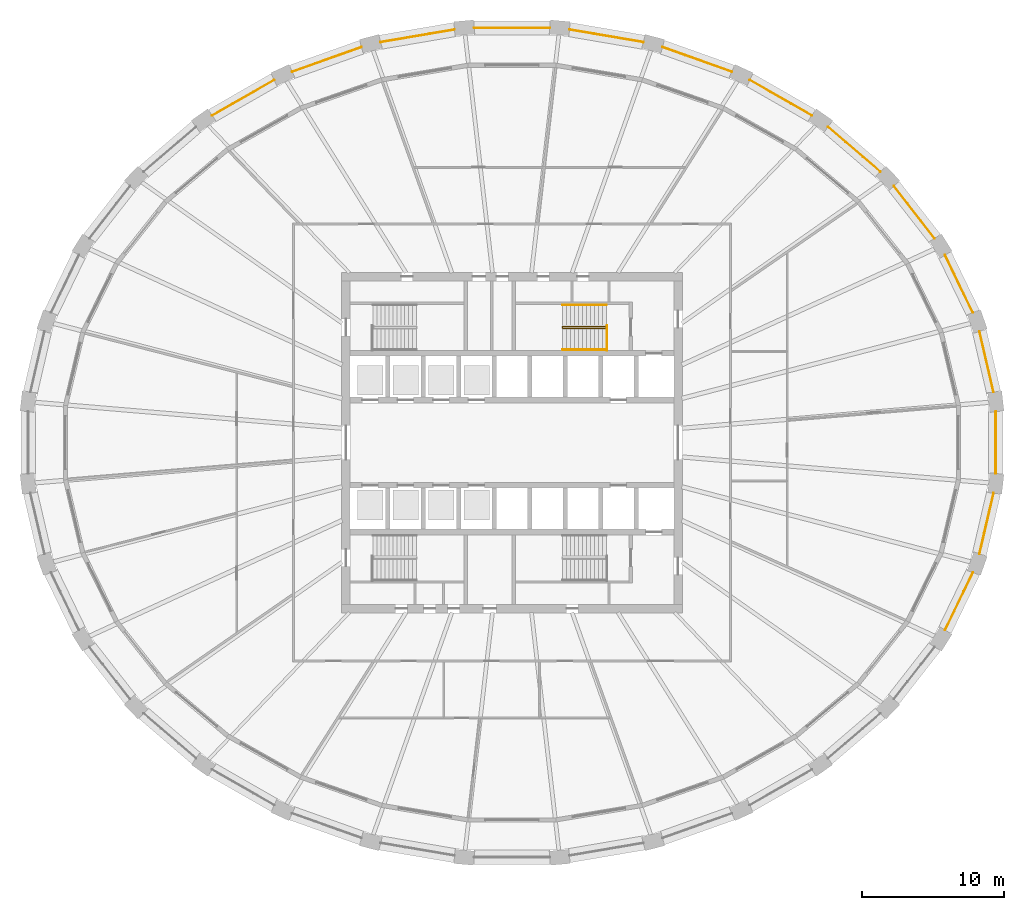
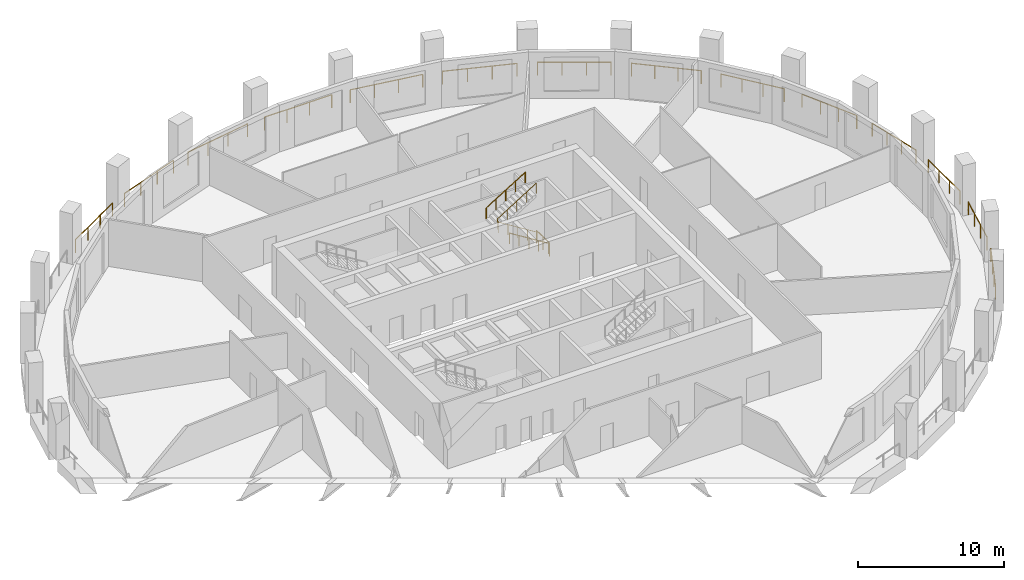
# One storey, part 10 of 11: 18 railings.
"""IFC4 building model written with IfcOpenShell, lengths in metres."""

from ifc_helpers import new_model, si_unit, direction, frame, origin, origin_2d, place, context, subcontext, project, spatial, circle, extrude, material, type_object, element, save


model = new_model("IFC4")

# Units and contexts
model_context = context("Model", 3, precision=1e-05, world=origin(), true_north=direction((0.0, 1.0)))
body_context = subcontext(model_context, "Body", "Model", "MODEL_VIEW")
ifc_project = project(units=[si_unit("LENGTHUNIT", "METRE"), si_unit("AREAUNIT", "SQUARE_METRE"), si_unit("VOLUMEUNIT", "CUBIC_METRE"), si_unit("PLANEANGLEUNIT", "RADIAN"), si_unit("MASSUNIT", "GRAM", prefix="KILO")], contexts=[model_context])

# Site, building, storey
site_placement = place(None, origin())
site = spatial("IfcSite", under=ifc_project, at=site_placement, CompositionType="ELEMENT")
building_placement = place(site_placement, origin())
building = spatial("IfcBuilding", under=site, at=building_placement, Name="Halqa Exchange Tower", CompositionType="ELEMENT")
storey_placement = place(building_placement, frame((0.0, 0.0, 146.5)))
storey = spatial("IfcBuildingStorey", under=building, at=storey_placement, Name="L33", CompositionType="ELEMENT", Elevation=146.5)

# Railings
ifc_material = material(Name="Stainless steel", Category="steel")
railing_type_1 = type_object("IfcRailingType", Name="Guard 1100 stainless steel", PredefinedType="GUARDRAIL", material=ifc_material)
railing_1_placement = place(storey_placement, frame((33.93994140625, 3.560546875, 0.0)))
element("IfcRailing", 1, at=railing_1_placement, inside=storey, type_object=railing_type_1, Name="Loggia guard 1", PredefinedType="GUARDRAIL", context=body_context, shape_type="SweptSolid", body=[
    extrude(circle(Radius=0.02392578125, at=origin_2d()), frame((0.0, 0.0, 1.076171875), z_axis=(-0.226063843212, 0.974112487751, 0.0), x_axis=(-0.974112487751, -0.226063843212, 0.0)), (0.0, 0.0, 1.0), 4.396484375),
    extrude(circle(Radius=0.02099609375, at=origin_2d()), origin(), (0.0, 0.0, 1.0), 1.052001953125),
    extrude(circle(Radius=0.02099609375, at=origin_2d()), frame((-0.331298828125, 1.427490234375, 0.0)), (0.0, 0.0, 1.0), 1.052001953125),
    extrude(circle(Radius=0.02099609375, at=origin_2d()), frame((-0.66259765625, 2.855224609375, 0.0)), (0.0, 0.0, 1.0), 1.052001953125),
    extrude(circle(Radius=0.02099609375, at=origin_2d()), frame((-0.993896484375, 4.28271484375, 0.0)), (0.0, 0.0, 1.0), 1.052001953125),
])
railing_2_placement = place(storey_placement, frame((32.483154296875, 9.155517578125, 0.0)))
element("IfcRailing", 2, at=railing_2_placement, inside=storey, type_object=railing_type_1, Name="Loggia guard 2", PredefinedType="GUARDRAIL", context=body_context, shape_type="SweptSolid", body=[
    extrude(circle(Radius=0.02392578125, at=origin_2d()), frame((0.0, 0.0, 1.076171875), z_axis=(-0.435104993677, 0.900379722382, 0.0), x_axis=(-0.900379722382, -0.435104993677, 0.0)), (0.0, 0.0, 1.0), 4.50732421875),
    extrude(circle(Radius=0.02099609375, at=origin_2d()), origin(), (0.0, 0.0, 1.0), 1.052001953125),
    extrude(circle(Radius=0.02099609375, at=origin_2d()), frame((-0.65380859375, 1.352783203125, 0.0)), (0.0, 0.0, 1.0), 1.052001953125),
    extrude(circle(Radius=0.02099609375, at=origin_2d()), frame((-1.307373046875, 2.70556640625, 0.0)), (0.0, 0.0, 1.0), 1.052001953125),
    extrude(circle(Radius=0.02099609375, at=origin_2d()), frame((-1.961181640625, 4.058349609375, 0.0)), (0.0, 0.0, 1.0), 1.052001953125),
])
railing_3_placement = place(storey_placement, frame((29.787109375, 14.396240234375, 0.0)))
element("IfcRailing", 3, at=railing_3_placement, inside=storey, type_object=railing_type_1, Name="Loggia guard 3", PredefinedType="GUARDRAIL", context=body_context, shape_type="SweptSolid", body=[
    extrude(circle(Radius=0.02392578125, at=origin_2d()), frame((0.0, 0.0, 1.076171875), z_axis=(-0.614794475966, 0.788687360316, 0.0), x_axis=(-0.788687360316, -0.614794475966, 0.0)), (0.0, 0.0, 1.0), 4.669677734375),
    extrude(circle(Radius=0.02099609375, at=origin_2d()), origin(), (0.0, 0.0, 1.0), 1.052001953125),
    extrude(circle(Radius=0.02099609375, at=origin_2d()), frame((-0.95703125, 1.2275390625, 0.0)), (0.0, 0.0, 1.0), 1.052001953125),
    extrude(circle(Radius=0.02099609375, at=origin_2d()), frame((-1.913818359375, 2.455322265625, 0.0)), (0.0, 0.0, 1.0), 1.052001953125),
    extrude(circle(Radius=0.02099609375, at=origin_2d()), frame((-2.870849609375, 3.682861328125, 0.0)), (0.0, 0.0, 1.0), 1.052001953125),
])
railing_4_placement = place(storey_placement, frame((25.954345703125, 19.0869140625, 0.0)))
element("IfcRailing", 4, at=railing_4_placement, inside=storey, type_object=railing_type_1, Name="Loggia guard 4", PredefinedType="GUARDRAIL", context=body_context, shape_type="SweptSolid", body=[
    extrude(circle(Radius=0.02392578125, at=origin_2d()), frame((0.0, 0.0, 1.076171875), z_axis=(-0.759277898417, 0.650766527239, 0.0), x_axis=(-0.650766527239, -0.759277898417, 0.0)), (0.0, 0.0, 1.0), 4.855224609375),
    extrude(circle(Radius=0.02099609375, at=origin_2d()), origin(), (0.0, 0.0, 1.0), 1.052001953125),
    extrude(circle(Radius=0.02099609375, at=origin_2d()), frame((-1.228759765625, 1.05322265625, 0.0)), (0.0, 0.0, 1.0), 1.052001953125),
    extrude(circle(Radius=0.02099609375, at=origin_2d()), frame((-2.457763671875, 2.1064453125, 0.0)), (0.0, 0.0, 1.0), 1.052001953125),
    extrude(circle(Radius=0.02099609375, at=origin_2d()), frame((-3.6865234375, 3.15966796875, 0.0)), (0.0, 0.0, 1.0), 1.052001953125),
])
railing_5_placement = place(storey_placement, frame((21.12890625, 23.050048828125, 0.0)))
element("IfcRailing", 5, at=railing_5_placement, inside=storey, type_object=railing_type_1, Name="Loggia guard 5", PredefinedType="GUARDRAIL", context=body_context, shape_type="SweptSolid", body=[
    extrude(circle(Radius=0.02392578125, at=origin_2d()), frame((0.0, 0.0, 1.076171875), z_axis=(-0.867762399845, 0.496979292743, 0.0), x_axis=(-0.496979292743, -0.867762399845, 0.0)), (0.0, 0.0, 1.0), 5.035888671875),
    extrude(circle(Radius=0.02099609375, at=origin_2d()), origin(), (0.0, 0.0, 1.0), 1.052001953125),
    extrude(circle(Radius=0.02099609375, at=origin_2d()), frame((-1.45654296875, 0.834228515625, 0.0)), (0.0, 0.0, 1.0), 1.052001953125),
    extrude(circle(Radius=0.02099609375, at=origin_2d()), frame((-2.913330078125, 1.66845703125, 0.0)), (0.0, 0.0, 1.0), 1.052001953125),
    extrude(circle(Radius=0.02099609375, at=origin_2d()), frame((-4.369873046875, 2.502685546875, 0.0)), (0.0, 0.0, 1.0), 1.052001953125),
])
railing_6_placement = place(storey_placement, frame((15.491943359375, 26.135009765625, 0.0)))
element("IfcRailing", 6, at=railing_6_placement, inside=storey, type_object=railing_type_1, Name="Loggia guard 6", PredefinedType="GUARDRAIL", context=body_context, shape_type="SweptSolid", body=[
    extrude(circle(Radius=0.02392578125, at=origin_2d()), frame((0.0, 0.0, 1.076171875), z_axis=(-0.942379387613, 0.334546095183, 0.0), x_axis=(-0.334546095183, -0.942379387613, 0.0)), (0.0, 0.0, 1.0), 5.18505859375),
    extrude(circle(Radius=0.02099609375, at=origin_2d()), origin(), (0.0, 0.0, 1.0), 1.052001953125),
    extrude(circle(Radius=0.02099609375, at=origin_2d()), frame((-1.628662109375, 0.578125, 0.0)), (0.0, 0.0, 1.0), 1.052001953125),
    extrude(circle(Radius=0.02099609375, at=origin_2d()), frame((-3.257568359375, 1.156494140625, 0.0)), (0.0, 0.0, 1.0), 1.052001953125),
    extrude(circle(Radius=0.02099609375, at=origin_2d()), frame((-4.88623046875, 1.734619140625, 0.0)), (0.0, 0.0, 1.0), 1.052001953125),
])
railing_7_placement = place(storey_placement, frame((9.256103515625, 28.2216796875, 0.0)))
element("IfcRailing", 7, at=railing_7_placement, inside=storey, type_object=railing_type_1, Name="Loggia guard 7", PredefinedType="GUARDRAIL", context=body_context, shape_type="SweptSolid", body=[
    extrude(circle(Radius=0.02392578125, at=origin_2d()), frame((0.0, 0.0, 1.076171875), z_axis=(-0.985781455071, 0.168032505304, 0.0), x_axis=(-0.168032505304, -0.985781455071, 0.0)), (0.0, 0.0, 1.0), 5.282958984375),
    extrude(circle(Radius=0.02099609375, at=origin_2d()), origin(), (0.0, 0.0, 1.0), 1.052001953125),
    extrude(circle(Radius=0.02099609375, at=origin_2d()), frame((-1.73583984375, 0.2958984375, 0.0)), (0.0, 0.0, 1.0), 1.052001953125),
    extrude(circle(Radius=0.02099609375, at=origin_2d()), frame((-3.471923828125, 0.591796875, 0.0)), (0.0, 0.0, 1.0), 1.052001953125),
    extrude(circle(Radius=0.02099609375, at=origin_2d()), frame((-5.207763671875, 0.8876953125, 0.0)), (0.0, 0.0, 1.0), 1.052001953125),
])
railing_8_placement = place(storey_placement, frame((2.658447265625, 29.22705078125, 0.0)))
element("IfcRailing", 8, at=railing_8_placement, inside=storey, type_object=railing_type_1, Name="Loggia guard 8", PredefinedType="GUARDRAIL", context=body_context, shape_type="SweptSolid", body=[
    extrude(circle(Radius=0.02392578125, at=origin_2d()), frame((0.0, 0.0, 1.076171875), z_axis=(-1.0, 0.0, 0.0), x_axis=(0.0, -1.0, 0.0)), (0.0, 0.0, 1.0), 5.31689453125),
    extrude(circle(Radius=0.02099609375, at=origin_2d()), origin(), (0.0, 0.0, 1.0), 1.052001953125),
    extrude(circle(Radius=0.02099609375, at=origin_2d()), frame((-1.772216796875, 0.0, 0.0)), (0.0, 0.0, 1.0), 1.052001953125),
    extrude(circle(Radius=0.02099609375, at=origin_2d()), frame((-3.544677734375, 0.0, 0.0)), (0.0, 0.0, 1.0), 1.052001953125),
    extrude(circle(Radius=0.02099609375, at=origin_2d()), frame((-5.31689453125, 0.0, 0.0)), (0.0, 0.0, 1.0), 1.052001953125),
])
railing_9_placement = place(storey_placement, frame((-4.04833984375, 29.109375, 0.0)))
element("IfcRailing", 9, at=railing_9_placement, inside=storey, type_object=railing_type_1, Name="Loggia guard 9", PredefinedType="GUARDRAIL", context=body_context, shape_type="SweptSolid", body=[
    extrude(circle(Radius=0.02392578125, at=origin_2d()), frame((0.0, 0.0, 1.076171875), z_axis=(-0.985781455071, -0.168032505304, 0.0), x_axis=(0.168032505304, -0.985781455071, 0.0)), (0.0, 0.0, 1.0), 5.282958984375),
    extrude(circle(Radius=0.02099609375, at=origin_2d()), origin(), (0.0, 0.0, 1.0), 1.052001953125),
    extrude(circle(Radius=0.02099609375, at=origin_2d()), frame((-1.73583984375, -0.2958984375, 0.0)), (0.0, 0.0, 1.0), 1.052001953125),
    extrude(circle(Radius=0.02099609375, at=origin_2d()), frame((-3.471923828125, -0.591796875, 0.0)), (0.0, 0.0, 1.0), 1.052001953125),
    extrude(circle(Radius=0.02099609375, at=origin_2d()), frame((-5.207763671875, -0.8876953125, 0.0)), (0.0, 0.0, 1.0), 1.052001953125),
])
railing_10_placement = place(storey_placement, frame((-10.605712890625, 27.86962890625, 0.0)))
element("IfcRailing", 10, at=railing_10_placement, inside=storey, type_object=railing_type_1, Name="Loggia guard 10", PredefinedType="GUARDRAIL", context=body_context, shape_type="SweptSolid", body=[
    extrude(circle(Radius=0.02392578125, at=origin_2d()), frame((0.0, 0.0, 1.076171875), z_axis=(-0.942379387613, -0.334546095183, 0.0), x_axis=(0.334546095183, -0.942379387613, 0.0)), (0.0, 0.0, 1.0), 5.18505859375),
    extrude(circle(Radius=0.02099609375, at=origin_2d()), origin(), (0.0, 0.0, 1.0), 1.052001953125),
    extrude(circle(Radius=0.02099609375, at=origin_2d()), frame((-1.628662109375, -0.578125, 0.0)), (0.0, 0.0, 1.0), 1.052001953125),
    extrude(circle(Radius=0.02099609375, at=origin_2d()), frame((-3.257568359375, -1.156494140625, 0.0)), (0.0, 0.0, 1.0), 1.052001953125),
    extrude(circle(Radius=0.02099609375, at=origin_2d()), frame((-4.88623046875, -1.734619140625, 0.0)), (0.0, 0.0, 1.0), 1.052001953125),
])
railing_11_placement = place(storey_placement, frame((-16.759033203125, 25.552734375, 0.0)))
element("IfcRailing", 11, at=railing_11_placement, inside=storey, type_object=railing_type_1, Name="Loggia guard 11", PredefinedType="GUARDRAIL", context=body_context, shape_type="SweptSolid", body=[
    extrude(circle(Radius=0.02392578125, at=origin_2d()), frame((0.0, 0.0, 1.076171875), z_axis=(-0.867762399845, -0.496979292743, 0.0), x_axis=(0.496979292743, -0.867762399845, 0.0)), (0.0, 0.0, 1.0), 5.035888671875),
    extrude(circle(Radius=0.02099609375, at=origin_2d()), origin(), (0.0, 0.0, 1.0), 1.052001953125),
    extrude(circle(Radius=0.02099609375, at=origin_2d()), frame((-1.45654296875, -0.834228515625, 0.0)), (0.0, 0.0, 1.0), 1.052001953125),
    extrude(circle(Radius=0.02099609375, at=origin_2d()), frame((-2.913330078125, -1.66845703125, 0.0)), (0.0, 0.0, 1.0), 1.052001953125),
    extrude(circle(Radius=0.02099609375, at=origin_2d()), frame((-4.369873046875, -2.502685546875, 0.0)), (0.0, 0.0, 1.0), 1.052001953125),
])
railing_12_placement = place(storey_placement, frame((30.52197265625, -13.2138671875, 0.0)))
element("IfcRailing", 12, at=railing_12_placement, inside=storey, type_object=railing_type_1, Name="Loggia guard 30", PredefinedType="GUARDRAIL", context=body_context, shape_type="SweptSolid", body=[
    extrude(circle(Radius=0.02392578125, at=origin_2d()), frame((0.0, 0.0, 1.076171875), z_axis=(0.435104993677, 0.900379722382, 0.0), x_axis=(-0.900379722382, 0.435104993677, 0.0)), (0.0, 0.0, 1.0), 4.50732421875),
    extrude(circle(Radius=0.02099609375, at=origin_2d()), origin(), (0.0, 0.0, 1.0), 1.052001953125),
    extrude(circle(Radius=0.02099609375, at=origin_2d()), frame((0.65380859375, 1.352783203125, 0.0)), (0.0, 0.0, 1.0), 1.052001953125),
    extrude(circle(Radius=0.02099609375, at=origin_2d()), frame((1.307373046875, 2.70556640625, 0.0)), (0.0, 0.0, 1.0), 1.052001953125),
    extrude(circle(Radius=0.02099609375, at=origin_2d()), frame((1.961181640625, 4.058349609375, 0.0)), (0.0, 0.0, 1.0), 1.052001953125),
])
railing_13_placement = place(storey_placement, frame((32.946044921875, -7.84326171875, 0.0)))
element("IfcRailing", 13, at=railing_13_placement, inside=storey, type_object=railing_type_1, Name="Loggia guard 31", PredefinedType="GUARDRAIL", context=body_context, shape_type="SweptSolid", body=[
    extrude(circle(Radius=0.02392578125, at=origin_2d()), frame((0.0, 0.0, 1.076171875), z_axis=(0.226063843212, 0.974112487751, 0.0), x_axis=(-0.974112487751, 0.226063843212, 0.0)), (0.0, 0.0, 1.0), 4.396484375),
    extrude(circle(Radius=0.02099609375, at=origin_2d()), origin(), (0.0, 0.0, 1.0), 1.052001953125),
    extrude(circle(Radius=0.02099609375, at=origin_2d()), frame((0.331298828125, 1.427490234375, 0.0)), (0.0, 0.0, 1.0), 1.052001953125),
    extrude(circle(Radius=0.02099609375, at=origin_2d()), frame((0.66259765625, 2.855224609375, 0.0)), (0.0, 0.0, 1.0), 1.052001953125),
    extrude(circle(Radius=0.02099609375, at=origin_2d()), frame((0.993896484375, 4.28271484375, 0.0)), (0.0, 0.0, 1.0), 1.052001953125),
])
railing_14_placement = place(storey_placement, frame((34.09814453125, -2.1787109375, 0.0)))
element("IfcRailing", 14, at=railing_14_placement, inside=storey, type_object=railing_type_1, Name="Loggia guard 32", PredefinedType="GUARDRAIL", context=body_context, shape_type="SweptSolid", body=[
    extrude(circle(Radius=0.02392578125, at=origin_2d()), frame((0.0, 0.0, 1.076171875), z_axis=(0.0, 1.0, 0.0), x_axis=(-1.0, 0.0, 0.0)), (0.0, 0.0, 1.0), 4.357421875),
    extrude(circle(Radius=0.02099609375, at=origin_2d()), origin(), (0.0, 0.0, 1.0), 1.052001953125),
    extrude(circle(Radius=0.02099609375, at=origin_2d()), frame((0.0, 1.452392578125, 0.0)), (0.0, 0.0, 1.0), 1.052001953125),
    extrude(circle(Radius=0.02099609375, at=origin_2d()), frame((0.0, 2.905029296875, 0.0)), (0.0, 0.0, 1.0), 1.052001953125),
    extrude(circle(Radius=0.02099609375, at=origin_2d()), frame((0.0, 4.357421875, 0.0)), (0.0, 0.0, 1.0), 1.052001953125),
])
railing_type_2 = type_object("IfcRailingType", Name="Stair handrail 900", PredefinedType="HANDRAIL", material=ifc_material)
railing_15_placement = place(storey_placement, frame((6.64990234375, 8.06005859375, 0.175048828125)))
element("IfcRailing", 15, at=railing_15_placement, inside=storey, type_object=railing_type_2, Name="Handrail ST2.1", PredefinedType="HANDRAIL", context=body_context, shape_type="SweptSolid", body=[
    extrude(circle(Radius=0.02392578125, at=origin_2d()), frame((0.0, 0.0, 0.8759765625), z_axis=(-0.847979421464, 0.0, 0.530029150871), x_axis=(0.0, -1.0, 0.0)), (0.0, 0.0, 1.0), 3.632080078125),
    extrude(circle(Radius=0.02392578125, at=origin_2d()), frame((-3.079833984375, 0.0, 2.80078125), z_axis=(0.0, 0.596406559517, 0.802682512433), x_axis=(-1.0, 0.0, 0.0)), (0.0, 0.0, 1.0), 0.2177734375),
    extrude(circle(Radius=0.02392578125, at=origin_2d()), frame((-3.079833984375, 0.1298828125, 2.9755859375), z_axis=(0.847979421464, 0.0, 0.530029150871), x_axis=(0.0, 1.0, 0.0)), (0.0, 0.0, 1.0), 3.632080078125),
    extrude(circle(Radius=0.02099609375, at=origin_2d()), origin(), (0.0, 0.0, 1.0), 0.851806640625),
    extrude(circle(Radius=0.02099609375, at=origin_2d()), frame((-0.77001953125, 0.0, 0.481201171875)), (0.0, 0.0, 1.0), 0.851806640625),
    extrude(circle(Radius=0.02099609375, at=origin_2d()), frame((-1.5400390625, 0.0, 0.96240234375)), (0.0, 0.0, 1.0), 0.851806640625),
    extrude(circle(Radius=0.02099609375, at=origin_2d()), frame((-2.309814453125, 0.0, 1.44384765625)), (0.0, 0.0, 1.0), 0.851806640625),
    extrude(circle(Radius=0.02099609375, at=origin_2d()), frame((-3.079833984375, 0.0, 1.925048828125)), (0.0, 0.0, 1.0), 0.851806640625),
    extrude(circle(Radius=0.02099609375, at=origin_2d()), frame((-3.079833984375, 0.1298828125, 2.099853515625)), (0.0, 0.0, 1.0), 0.851806640625),
    extrude(circle(Radius=0.02099609375, at=origin_2d()), frame((-2.309814453125, 0.1298828125, 2.5810546875)), (0.0, 0.0, 1.0), 0.851806640625),
    extrude(circle(Radius=0.02099609375, at=origin_2d()), frame((-1.5400390625, 0.1298828125, 3.0625)), (0.0, 0.0, 1.0), 0.851806640625),
    extrude(circle(Radius=0.02099609375, at=origin_2d()), frame((-0.77001953125, 0.1298828125, 3.543701171875)), (0.0, 0.0, 1.0), 0.851806640625),
    extrude(circle(Radius=0.02099609375, at=origin_2d()), frame((0.0, 0.1298828125, 4.02490234375)), (0.0, 0.0, 1.0), 0.851806640625),
])
railing_16_placement = place(storey_placement, frame((6.64990234375, 6.550048828125, 0.175048828125)))
element("IfcRailing", 16, at=railing_16_placement, inside=storey, type_object=railing_type_2, Name="Handrail ST2.2", PredefinedType="HANDRAIL", context=body_context, shape_type="SweptSolid", body=[
    extrude(circle(Radius=0.02392578125, at=origin_2d()), frame((0.0, 0.0, 0.8759765625), z_axis=(-0.847979421464, 0.0, 0.530029150871), x_axis=(0.0, -1.0, 0.0)), (0.0, 0.0, 1.0), 3.632080078125),
    extrude(circle(Radius=0.02099609375, at=origin_2d()), origin(), (0.0, 0.0, 1.0), 0.851806640625),
    extrude(circle(Radius=0.02099609375, at=origin_2d()), frame((-0.77001953125, 0.0, 0.481201171875)), (0.0, 0.0, 1.0), 0.851806640625),
    extrude(circle(Radius=0.02099609375, at=origin_2d()), frame((-1.5400390625, 0.0, 0.96240234375)), (0.0, 0.0, 1.0), 0.851806640625),
    extrude(circle(Radius=0.02099609375, at=origin_2d()), frame((-2.309814453125, 0.0, 1.44384765625)), (0.0, 0.0, 1.0), 0.851806640625),
    extrude(circle(Radius=0.02099609375, at=origin_2d()), frame((-3.079833984375, 0.0, 1.925048828125)), (0.0, 0.0, 1.0), 0.851806640625),
])
railing_17_placement = place(storey_placement, frame((3.570068359375, 9.699951171875, 2.27490234375)))
element("IfcRailing", 17, at=railing_17_placement, inside=storey, type_object=railing_type_2, Name="Handrail ST2.3", PredefinedType="HANDRAIL", context=body_context, shape_type="SweptSolid", body=[
    extrude(circle(Radius=0.02392578125, at=origin_2d()), frame((0.0, 0.0, 0.8759765625), z_axis=(0.847979421464, 0.0, 0.530029150871), x_axis=(0.0, 1.0, 0.0)), (0.0, 0.0, 1.0), 3.632080078125),
    extrude(circle(Radius=0.02099609375, at=origin_2d()), origin(), (0.0, 0.0, 1.0), 0.851806640625),
    extrude(circle(Radius=0.02099609375, at=origin_2d()), frame((0.77001953125, 0.0, 0.481201171875)), (0.0, 0.0, 1.0), 0.851806640625),
    extrude(circle(Radius=0.02099609375, at=origin_2d()), frame((1.5400390625, 0.0, 0.96240234375)), (0.0, 0.0, 1.0), 0.851806640625),
    extrude(circle(Radius=0.02099609375, at=origin_2d()), frame((2.309814453125, 0.0, 1.44384765625)), (0.0, 0.0, 1.0), 0.851806640625),
    extrude(circle(Radius=0.02099609375, at=origin_2d()), frame((3.079833984375, 0.0, 1.925048828125)), (0.0, 0.0, 1.0), 0.851806640625),
])
railing_type_3 = type_object("IfcRailingType", Name="Stair well guard 1100", PredefinedType="GUARDRAIL", material=ifc_material)
railing_18_placement = place(storey_placement, frame((6.699951171875, 6.5, 0.0)))
element("IfcRailing", 18, at=railing_18_placement, inside=storey, type_object=railing_type_3, Name="Guard ST2 well", PredefinedType="GUARDRAIL", context=body_context, shape_type="SweptSolid", body=[
    extrude(circle(Radius=0.02392578125, at=origin_2d()), frame((0.0, 0.0, 1.076171875), z_axis=(0.0, 1.0, 0.0), x_axis=(-1.0, 0.0, 0.0)), (0.0, 0.0, 1.0), 1.75),
    extrude(circle(Radius=0.02099609375, at=origin_2d()), origin(), (0.0, 0.0, 1.0), 1.052001953125),
    extrude(circle(Radius=0.02099609375, at=origin_2d()), frame((0.0, 0.875, 0.0)), (0.0, 0.0, 1.0), 1.052001953125),
    extrude(circle(Radius=0.02099609375, at=origin_2d()), frame((0.0, 1.75, 0.0)), (0.0, 0.0, 1.0), 1.052001953125),
])

save(model, "model.ifc")
